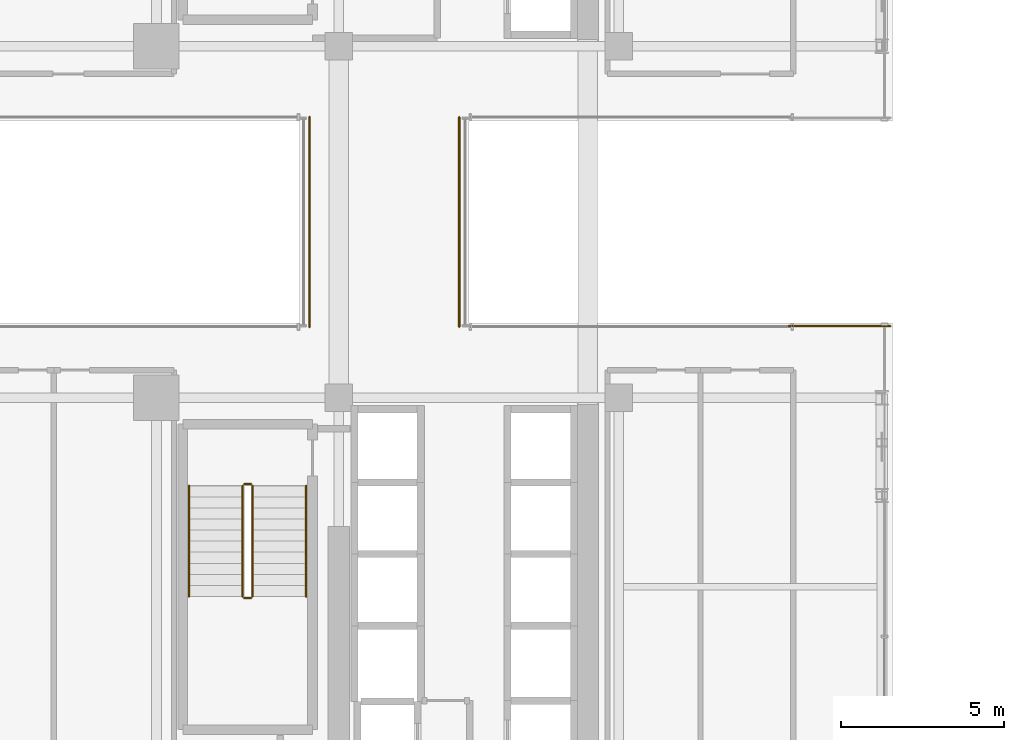
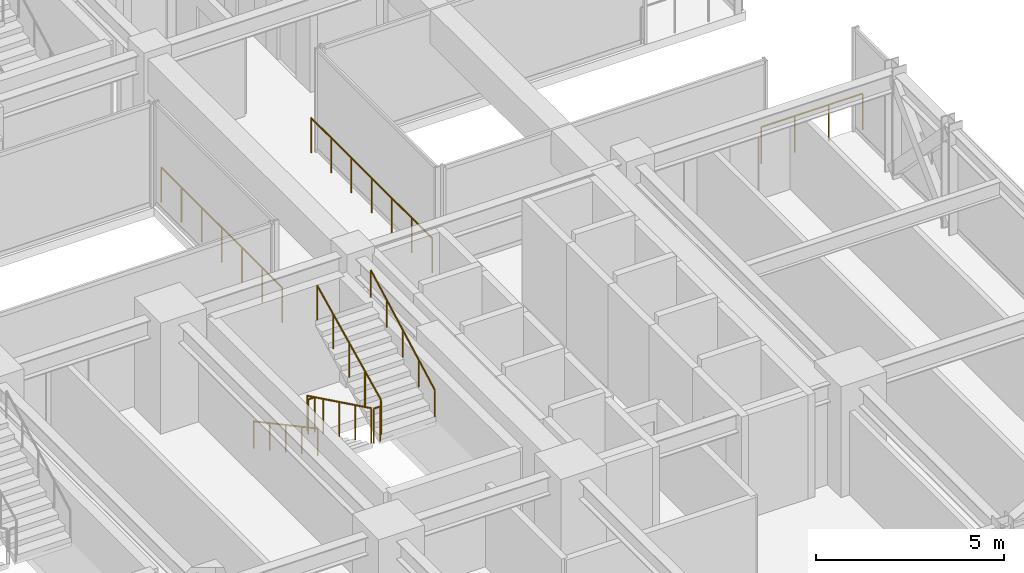
# One storey, part 40 of 43: 9 railings.
"""IFC4 building model written with IfcOpenShell, lengths in metres."""

from ifc_helpers import new_model, si_unit, direction, frame, origin, origin_2d, place, context, subcontext, project, spatial, circle, extrude, material, type_object, element, save


model = new_model("IFC4")

# Units and contexts
model_context = context("Model", 3, precision=1e-05, world=origin(), true_north=direction((0.0, 1.0)))
body_context = subcontext(model_context, "Body", "Model", "MODEL_VIEW")
ifc_project = project(units=[si_unit("LENGTHUNIT", "METRE"), si_unit("AREAUNIT", "SQUARE_METRE"), si_unit("VOLUMEUNIT", "CUBIC_METRE"), si_unit("PLANEANGLEUNIT", "RADIAN"), si_unit("MASSUNIT", "GRAM", prefix="KILO")], contexts=[model_context])

# Site, building, storey
site_placement = place(None, origin())
site = spatial("IfcSite", under=ifc_project, at=site_placement, CompositionType="ELEMENT")
building_placement = place(site_placement, origin())
building = spatial("IfcBuilding", under=site, at=building_placement, Name="Nahalor Promenade Grand Hotel", CompositionType="ELEMENT")
storey_placement = place(building_placement, frame((0.0, 0.0, 57.949951171875)))
storey = spatial("IfcBuildingStorey", under=building, at=storey_placement, Name="L13", CompositionType="ELEMENT", Elevation=57.949951171875)

# Railings
ifc_material_1 = material(Name="Anodised Bronze Aluminium EN AW-6063 T6", Category="aluminium")
railing_type_1 = type_object("IfcRailingType", Name="Bronze Balcony Guardrail 1200 mm", PredefinedType="GUARDRAIL", material=ifc_material_1)
railing_1_placement = place(storey_placement, frame((22.219970703125, -3.199951171875, 0.0)))
element("IfcRailing", 1, at=railing_1_placement, inside=storey, type_object=railing_type_1, Name="L13 Oculus Void Edge Guardrail ES", PredefinedType="GUARDRAIL", context=body_context, shape_type="SweptSolid", body=[
    extrude(circle(Radius=0.024048, at=origin_2d()), frame((0.0, 0.0, 1.17578125), z_axis=(1.0, 0.0, 0.0), x_axis=(0.0, 1.0, 0.0)), (0.0, 0.0, 1.0), 3.1201171875),
    extrude(circle(Radius=0.020996, at=origin_2d()), origin(), (0.0, 0.0, 1.0), 1.14990234375),
    extrude(circle(Radius=0.020996, at=origin_2d()), frame((1.0400390625, 0.0, 0.0)), (0.0, 0.0, 1.0), 1.14990234375),
    extrude(circle(Radius=0.020996, at=origin_2d()), frame((2.080078125, 0.0, 0.0)), (0.0, 0.0, 1.0), 1.14990234375),
    extrude(circle(Radius=0.020996, at=origin_2d()), frame((3.1201171875, 0.0, 0.0)), (0.0, 0.0, 1.0), 1.14990234375),
])
railing_type_2 = type_object("IfcRailingType", Name="Bronze Sky Balustrade 1150 mm", PredefinedType="BALUSTRADE", material=ifc_material_1)
for number, where, name in (
    (2, (7.5, -3.219970703125, 0.0), "BL-L13-BRG-W"),
    (3, (12.10009765625, -3.219970703125, 0.0), "BL-L13-BRG-E"),
):
    element("IfcRailing", number, at=place(storey_placement, frame(where)), inside=storey, type_object=railing_type_2, Name=name, PredefinedType="BALUSTRADE", context=body_context, shape_type="SweptSolid", body=[
        extrude(circle(Radius=0.024048, at=origin_2d()), frame((0.0, 0.0, 1.1259765625), z_axis=(0.0, 1.0, 0.0), x_axis=(-1.0, 0.0, 0.0)), (0.0, 0.0, 1.0), 6.43994140625),
        extrude(circle(Radius=0.020996, at=origin_2d()), origin(), (0.0, 0.0, 1.0), 1.099853515625),
        extrude(circle(Radius=0.020996, at=origin_2d()), frame((0.0, 1.0732421875, 0.0)), (0.0, 0.0, 1.0), 1.099853515625),
        extrude(circle(Radius=0.020996, at=origin_2d()), frame((0.0, 2.146728515625, 0.0)), (0.0, 0.0, 1.0), 1.099853515625),
        extrude(circle(Radius=0.020996, at=origin_2d()), frame((0.0, 3.219970703125, 0.0)), (0.0, 0.0, 1.0), 1.099853515625),
        extrude(circle(Radius=0.020996, at=origin_2d()), frame((0.0, 4.293212890625, 0.0)), (0.0, 0.0, 1.0), 1.099853515625),
        extrude(circle(Radius=0.020996, at=origin_2d()), frame((0.0, 5.36669921875, 0.0)), (0.0, 0.0, 1.0), 1.099853515625),
        extrude(circle(Radius=0.020996, at=origin_2d()), frame((0.0, 6.43994140625, 0.0)), (0.0, 0.0, 1.0), 1.099853515625),
    ])
ifc_material_2 = material(Name="Steel S355JR", Category="steel")
railing_type_3 = type_object("IfcRailingType", Name="Steel Stair Guardrail 1150 mm", PredefinedType="GUARDRAIL", material=ifc_material_2)
railing_2_placement = place(storey_placement, frame((5.449951171875, -8.10009765625, 0.166015625)))
element("IfcRailing", 4, at=railing_2_placement, inside=storey, type_object=railing_type_3, Name="L13 ST2 stair guard 1", PredefinedType="GUARDRAIL", context=body_context, shape_type="SweptSolid", body=[
    extrude(circle(Radius=0.024048, at=origin_2d()), frame((0.0, 0.0, 1.1259765625), z_axis=(0.0, -0.898721922897, 0.438518990814), x_axis=(1.0, 0.0, 0.0)), (0.0, 0.0, 1.0), 3.782958984375),
    extrude(circle(Radius=0.020996, at=origin_2d()), origin(), (0.0, 0.0, 1.0), 1.099853515625),
    extrude(circle(Radius=0.020996, at=origin_2d()), frame((0.0, -0.85009765625, 0.414794921875)), (0.0, 0.0, 1.0), 1.099853515625),
    extrude(circle(Radius=0.020996, at=origin_2d()), frame((0.0, -1.699951171875, 0.82958984375)), (0.0, 0.0, 1.0), 1.099853515625),
    extrude(circle(Radius=0.020996, at=origin_2d()), frame((0.0, -2.5498046875, 1.244140625)), (0.0, 0.0, 1.0), 1.099853515625),
    extrude(circle(Radius=0.020996, at=origin_2d()), frame((0.0, -3.39990234375, 1.658935546875)), (0.0, 0.0, 1.0), 1.099853515625),
])
railing_3_placement = place(storey_placement, frame((5.5, -11.550048828125, 1.824951171875)))
element("IfcRailing", 5, at=railing_3_placement, inside=storey, type_object=railing_type_3, Name="L13 ST2 stair guard 2", PredefinedType="GUARDRAIL", context=body_context, shape_type="SweptSolid", body=[
    extrude(circle(Radius=0.024048, at=origin_2d()), frame((0.0, 0.0, 1.1259765625), z_axis=(1.0, 0.0, 0.0), x_axis=(0.0, 1.0, 0.0)), (0.0, 0.0, 1.0), 0.199951171875),
    extrude(circle(Radius=0.020996, at=origin_2d()), origin(), (0.0, 0.0, 1.0), 1.099853515625),
    extrude(circle(Radius=0.020996, at=origin_2d()), frame((0.199951171875, 0.0, 0.0)), (0.0, 0.0, 1.0), 1.099853515625),
])
railing_4_placement = place(storey_placement, frame((5.75, -11.5, 1.990966796875)))
element("IfcRailing", 6, at=railing_4_placement, inside=storey, type_object=railing_type_3, Name="L13 ST2 stair guard 3", PredefinedType="GUARDRAIL", context=body_context, shape_type="SweptSolid", body=[
    extrude(circle(Radius=0.024048, at=origin_2d()), frame((0.0, 0.0, 1.1259765625), z_axis=(0.0, 0.898696488221, 0.438571114028), x_axis=(-1.0, 0.0, 0.0)), (0.0, 0.0, 1.0), 3.783203125),
    extrude(circle(Radius=0.020996, at=origin_2d()), origin(), (0.0, 0.0, 1.0), 1.099853515625),
    extrude(circle(Radius=0.020996, at=origin_2d()), frame((0.0, 0.85009765625, 0.414794921875)), (0.0, 0.0, 1.0), 1.099853515625),
    extrude(circle(Radius=0.020996, at=origin_2d()), frame((0.0, 1.699951171875, 0.82958984375)), (0.0, 0.0, 1.0), 1.099853515625),
    extrude(circle(Radius=0.020996, at=origin_2d()), frame((0.0, 2.5498046875, 1.244384765625)), (0.0, 0.0, 1.0), 1.099853515625),
    extrude(circle(Radius=0.020996, at=origin_2d()), frame((0.0, 3.39990234375, 1.6591796875)), (0.0, 0.0, 1.0), 1.099853515625),
])
railing_5_placement = place(storey_placement, frame((5.5, -8.050048828125, 0.0)))
element("IfcRailing", 7, at=railing_5_placement, inside=storey, type_object=railing_type_3, Name="L13 ST2 stair guard 4", PredefinedType="GUARDRAIL", context=body_context, shape_type="SweptSolid", body=[
    extrude(circle(Radius=0.024048, at=origin_2d()), frame((0.0, 0.0, 1.1259765625), z_axis=(1.0, 0.0, 0.0), x_axis=(0.0, 1.0, 0.0)), (0.0, 0.0, 1.0), 0.199951171875),
    extrude(circle(Radius=0.020996, at=origin_2d()), origin(), (0.0, 0.0, 1.0), 1.099853515625),
    extrude(circle(Radius=0.020996, at=origin_2d()), frame((0.199951171875, 0.0, 0.0)), (0.0, 0.0, 1.0), 1.099853515625),
])
railing_type_4 = type_object("IfcRailingType", Name="Steel Stair Handrail 900 mm", PredefinedType="HANDRAIL", material=ifc_material_2)
railing_6_placement = place(storey_placement, frame((3.800048828125, -8.10009765625, 0.166015625)))
element("IfcRailing", 8, at=railing_6_placement, inside=storey, type_object=railing_type_4, Name="L13 ST2 stair handrail 1", PredefinedType="HANDRAIL", context=body_context, shape_type="SweptSolid", body=[
    extrude(circle(Radius=0.024048, at=origin_2d()), frame((0.0, 0.0, 0.8759765625), z_axis=(0.0, -0.881094038095, 0.47294111265), x_axis=(1.0, 0.0, 0.0)), (0.0, 0.0, 1.0), 3.858642578125),
    extrude(circle(Radius=0.020996, at=origin_2d()), origin(), (0.0, 0.0, 1.0), 0.849853515625),
    extrude(circle(Radius=0.020996, at=origin_2d()), frame((0.0, -0.85009765625, 0.456298828125)), (0.0, 0.0, 1.0), 0.849853515625),
    extrude(circle(Radius=0.020996, at=origin_2d()), frame((0.0, -1.699951171875, 0.91259765625)), (0.0, 0.0, 1.0), 0.849853515625),
    extrude(circle(Radius=0.020996, at=origin_2d()), frame((0.0, -2.5498046875, 1.36865234375)), (0.0, 0.0, 1.0), 0.849853515625),
    extrude(circle(Radius=0.020996, at=origin_2d()), frame((0.0, -3.39990234375, 1.824951171875)), (0.0, 0.0, 1.0), 0.849853515625),
])
railing_7_placement = place(storey_placement, frame((7.39990234375, -11.5, 1.990966796875)))
element("IfcRailing", 9, at=railing_7_placement, inside=storey, type_object=railing_type_4, Name="L13 ST2 stair handrail 2", PredefinedType="HANDRAIL", context=body_context, shape_type="SweptSolid", body=[
    extrude(circle(Radius=0.024048, at=origin_2d()), frame((0.0, 0.0, 0.8759765625), z_axis=(0.0, 0.881094038095, 0.47294111265), x_axis=(-1.0, 0.0, 0.0)), (0.0, 0.0, 1.0), 3.858642578125),
    extrude(circle(Radius=0.020996, at=origin_2d()), origin(), (0.0, 0.0, 1.0), 0.849853515625),
    extrude(circle(Radius=0.020996, at=origin_2d()), frame((0.0, 0.85009765625, 0.456298828125)), (0.0, 0.0, 1.0), 0.849853515625),
    extrude(circle(Radius=0.020996, at=origin_2d()), frame((0.0, 1.699951171875, 0.91259765625)), (0.0, 0.0, 1.0), 0.849853515625),
    extrude(circle(Radius=0.020996, at=origin_2d()), frame((0.0, 2.5498046875, 1.36865234375)), (0.0, 0.0, 1.0), 0.849853515625),
    extrude(circle(Radius=0.020996, at=origin_2d()), frame((0.0, 3.39990234375, 1.824951171875)), (0.0, 0.0, 1.0), 0.849853515625),
])

save(model, "model.ifc")
